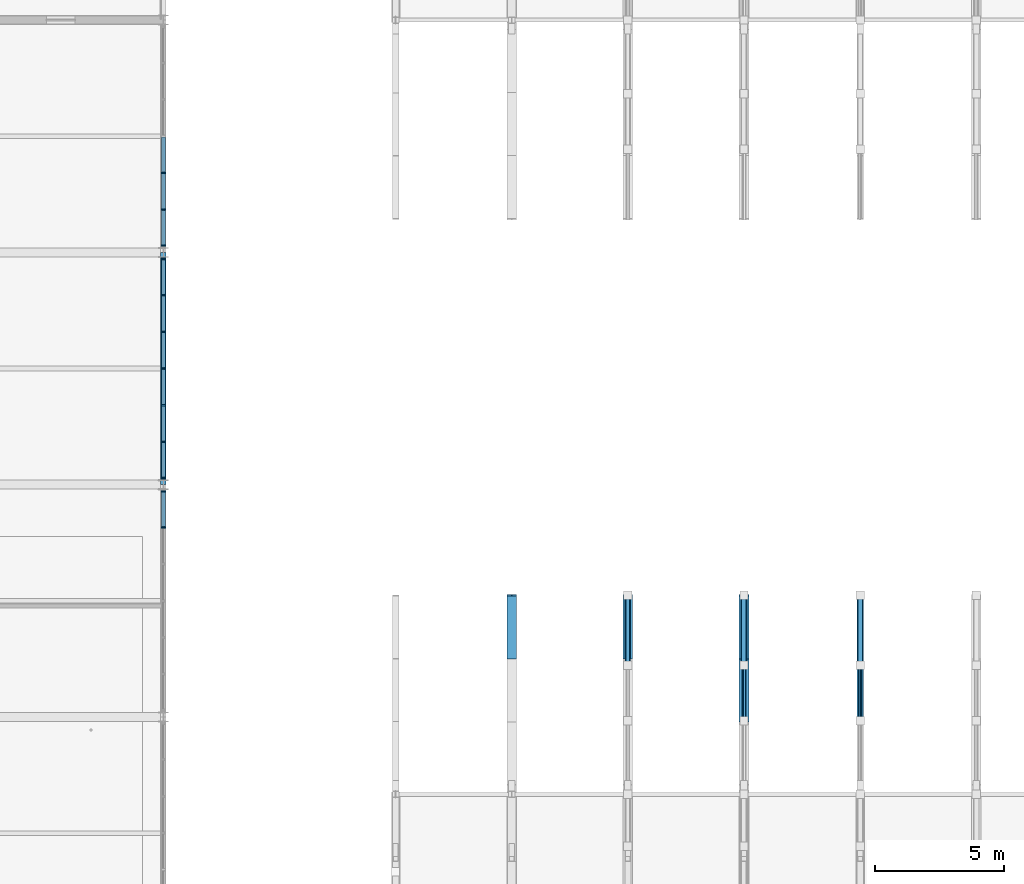
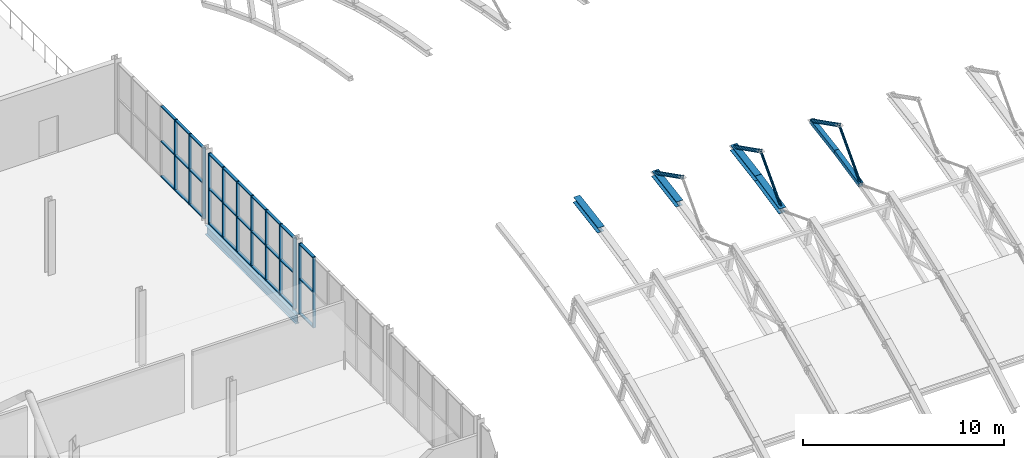
# One storey, part 33 of 103: 53 members, 1 beam, 3 elements without a shape of their own.
"""IFC4 building model written with IfcOpenShell, lengths in metres."""

from ifc_helpers import new_model, si_unit, direction, frame, origin, origin_2d, place, context, subcontext, project, spatial, rectangle, hollow_rectangle, hollow_circle, i_section, extrude, material, layer, layer_set, material_profile, profile_set, type_object, element, aggregate, save


model = new_model("IFC4")

# Units and contexts
model_context = context("Model", 3, precision=1e-05, world=origin(), true_north=direction((0.0, 1.0)))
body_context = subcontext(model_context, "Body", "Model", "MODEL_VIEW")
ifc_project = project(units=[si_unit("LENGTHUNIT", "METRE"), si_unit("AREAUNIT", "SQUARE_METRE"), si_unit("VOLUMEUNIT", "CUBIC_METRE"), si_unit("PLANEANGLEUNIT", "RADIAN"), si_unit("MASSUNIT", "GRAM", prefix="KILO")], contexts=[model_context])

# Site, building, storey
site_placement = place(None, origin())
site = spatial("IfcSite", under=ifc_project, at=site_placement, CompositionType="ELEMENT")
building_placement = place(site_placement, origin())
building = spatial("IfcBuilding", under=site, at=building_placement, Name="Cazmaro Siding Exhibition Halls", CompositionType="ELEMENT")
storey_placement = place(building_placement, frame((0.0, 0.0, 16.5)))
storey = spatial("IfcBuildingStorey", under=building, at=storey_placement, Name="L03", CompositionType="ELEMENT", Elevation=16.5)

# Beam
ifc_material_1 = material(Name="Steel ASTM A992 Grade 50", Category="steel")
ifc_material_profile_1 = material_profile(ifc_material_1, i_section(OverallWidth=0.214111328125, OverallDepth=0.549072265625, WebThickness=0.014892578125, FlangeThickness=0.02392578125, at=origin_2d()), Name="W21X93")
ifc_profile_set_1 = profile_set([ifc_material_profile_1], Name="Steel ASTM A992 Grade 50")
beam_type = type_object("IfcBeamType", Name="B-01", PredefinedType="BEAM", material=ifc_profile_set_1)
beam_placement = place(storey_placement, frame((36.0, 91.0, -0.493896484375), z_axis=(0.0, 1.0, 0.0), x_axis=(-1.0, 0.0, 0.0)))
element("IfcBeam", 1, at=beam_placement, inside=storey, type_object=beam_type, Name="Beam B-01 BM-2274", PredefinedType="BEAM", context=body_context, shape_type="SweptSolid", body=[
    extrude(i_section(OverallWidth=0.214111328125, OverallDepth=0.549072265625, WebThickness=0.014892578125, FlangeThickness=0.02392578125, at=origin_2d()), origin(), (0.0, 0.0, 1.0), 9.0),
])

# Curtain wall, members
ifc_material_2 = material(Name="Anodized Bronze Aluminum and Solar-Control Low-E Glazing", Category="aluminium")
ifc_layer = layer(ifc_material_2, 0.179931640625)
ifc_layer_set = layer_set([ifc_layer], Name="Anodized Bronze Aluminum and Solar-Control Low-E Glazing")
curtain_wall_type = type_object("IfcCurtainWallType", Name="CWS-01", PredefinedType="USERDEFINED", material=ifc_layer_set)
curtain_wall_1_placement = place(storey_placement, origin())
curtain_wall_1 = element("IfcCurtainWall", 2, at=curtain_wall_1_placement, inside=storey, type_object=curtain_wall_type, Name="Glazed Curtain Wall CWS-01 CW-252", ObjectType="GLAZED CURTAIN WALL", PredefinedType="USERDEFINED")
ifc_material_3 = material(Name="Anodized Bronze Extruded Aluminum", Category="aluminium")
ifc_material_profile_2 = material_profile(ifc_material_3, rectangle(XDim=0.179931640625, YDim=0.06005859375, at=origin_2d()), Name="CWM-01")
ifc_profile_set_2 = profile_set([ifc_material_profile_2], Name="Anodized Bronze Extruded Aluminum")
member_type_1 = type_object("IfcMemberType", Name="CWM-01", PredefinedType="MULLION", material=ifc_profile_set_2)
member_1_placement = place(storey_placement, frame((36.0, 89.3447265625, 0.0), z_axis=(0.0, 0.0, 1.0), x_axis=(-1.0, 0.0, 0.0)))
member_1 = element("IfcMember", 3, at=member_1_placement, type_object=member_type_1, Name="CWS-01 mullion 6", PredefinedType="MULLION", context=body_context, shape_type="SweptSolid", body=[
    extrude(rectangle(XDim=0.179931640625, YDim=0.06005859375, at=origin_2d()), origin(), (0.0, 0.0, 1.0), 4.280029296875),
])
member_2_placement = place(storey_placement, frame((36.0, 90.737060546875, 0.0), z_axis=(0.0, 0.0, 1.0), x_axis=(-1.0, 0.0, 0.0)))
member_2 = element("IfcMember", 4, at=member_2_placement, type_object=member_type_1, Name="CWS-01 mullion 7", PredefinedType="MULLION", context=body_context, shape_type="SweptSolid", body=[
    extrude(rectangle(XDim=0.179931640625, YDim=0.06005859375, at=origin_2d()), origin(), (0.0, 0.0, 1.0), 4.280029296875),
])

curtain_wall_2_placement = place(storey_placement, origin())
curtain_wall_2 = element("IfcCurtainWall", 5, at=curtain_wall_2_placement, inside=storey, type_object=curtain_wall_type, Name="Glazed Curtain Wall CWS-01 CW-253", ObjectType="GLAZED CURTAIN WALL", PredefinedType="USERDEFINED")
member_3_placement = place(storey_placement, frame((36.0, 91.262939453125, 0.0), z_axis=(0.0, 0.0, 1.0), x_axis=(-1.0, 0.0, 0.0)))
member_3 = element("IfcMember", 6, at=member_3_placement, type_object=member_type_1, Name="CWS-01 mullion 1", PredefinedType="MULLION", context=body_context, shape_type="SweptSolid", body=[
    extrude(rectangle(XDim=0.179931640625, YDim=0.06005859375, at=origin_2d()), origin(), (0.0, 0.0, 1.0), 4.280029296875),
])
member_4_placement = place(storey_placement, frame((36.0, 92.6552734375, 0.0), z_axis=(0.0, 0.0, 1.0), x_axis=(-1.0, 0.0, 0.0)))
member_4 = element("IfcMember", 7, at=member_4_placement, type_object=member_type_1, Name="CWS-01 mullion 2", PredefinedType="MULLION", context=body_context, shape_type="SweptSolid", body=[
    extrude(rectangle(XDim=0.179931640625, YDim=0.06005859375, at=origin_2d()), origin(), (0.0, 0.0, 1.0), 4.280029296875),
])
member_5_placement = place(storey_placement, frame((36.0, 94.07763671875, 0.0), z_axis=(0.0, 0.0, 1.0), x_axis=(-1.0, 0.0, 0.0)))
member_5 = element("IfcMember", 8, at=member_5_placement, type_object=member_type_1, Name="CWS-01 mullion 3", PredefinedType="MULLION", context=body_context, shape_type="SweptSolid", body=[
    extrude(rectangle(XDim=0.179931640625, YDim=0.06005859375, at=origin_2d()), origin(), (0.0, 0.0, 1.0), 4.280029296875),
])
member_6_placement = place(storey_placement, frame((36.0, 95.5, 0.0), z_axis=(0.0, 0.0, 1.0), x_axis=(-1.0, 0.0, 0.0)))
member_6 = element("IfcMember", 9, at=member_6_placement, type_object=member_type_1, Name="CWS-01 mullion 4", PredefinedType="MULLION", context=body_context, shape_type="SweptSolid", body=[
    extrude(rectangle(XDim=0.179931640625, YDim=0.06005859375, at=origin_2d()), origin(), (0.0, 0.0, 1.0), 4.280029296875),
])
member_7_placement = place(storey_placement, frame((36.0, 96.92236328125, 0.0), z_axis=(0.0, 0.0, 1.0), x_axis=(-1.0, 0.0, 0.0)))
member_7 = element("IfcMember", 10, at=member_7_placement, type_object=member_type_1, Name="CWS-01 mullion 5", PredefinedType="MULLION", context=body_context, shape_type="SweptSolid", body=[
    extrude(rectangle(XDim=0.179931640625, YDim=0.06005859375, at=origin_2d()), origin(), (0.0, 0.0, 1.0), 4.280029296875),
])
member_8_placement = place(storey_placement, frame((36.0, 98.3447265625, 0.0), z_axis=(0.0, 0.0, 1.0), x_axis=(-1.0, 0.0, 0.0)))
member_8 = element("IfcMember", 11, at=member_8_placement, type_object=member_type_1, Name="CWS-01 mullion 6", PredefinedType="MULLION", context=body_context, shape_type="SweptSolid", body=[
    extrude(rectangle(XDim=0.179931640625, YDim=0.06005859375, at=origin_2d()), origin(), (0.0, 0.0, 1.0), 4.280029296875),
])
member_9_placement = place(storey_placement, frame((36.0, 99.737060546875, 0.0), z_axis=(0.0, 0.0, 1.0), x_axis=(-1.0, 0.0, 0.0)))
member_9 = element("IfcMember", 12, at=member_9_placement, type_object=member_type_1, Name="CWS-01 mullion 7", PredefinedType="MULLION", context=body_context, shape_type="SweptSolid", body=[
    extrude(rectangle(XDim=0.179931640625, YDim=0.06005859375, at=origin_2d()), origin(), (0.0, 0.0, 1.0), 4.280029296875),
])

curtain_wall_3_placement = place(storey_placement, origin())
curtain_wall_3 = element("IfcCurtainWall", 13, at=curtain_wall_3_placement, inside=storey, type_object=curtain_wall_type, Name="Glazed Curtain Wall CWS-01 CW-255", ObjectType="GLAZED CURTAIN WALL", PredefinedType="USERDEFINED")
member_10_placement = place(storey_placement, frame((36.0, 100.262939453125, 0.0), z_axis=(0.0, 0.0, 1.0), x_axis=(-1.0, 0.0, 0.0)))
member_10 = element("IfcMember", 14, at=member_10_placement, type_object=member_type_1, Name="CWS-01 mullion 1", PredefinedType="MULLION", context=body_context, shape_type="SweptSolid", body=[
    extrude(rectangle(XDim=0.179931640625, YDim=0.06005859375, at=origin_2d()), origin(), (0.0, 0.0, 1.0), 4.280029296875),
])
member_11_placement = place(storey_placement, frame((36.0, 101.6552734375, 0.0), z_axis=(0.0, 0.0, 1.0), x_axis=(-1.0, 0.0, 0.0)))
member_11 = element("IfcMember", 15, at=member_11_placement, type_object=member_type_1, Name="CWS-01 mullion 2", PredefinedType="MULLION", context=body_context, shape_type="SweptSolid", body=[
    extrude(rectangle(XDim=0.179931640625, YDim=0.06005859375, at=origin_2d()), origin(), (0.0, 0.0, 1.0), 4.280029296875),
])
member_12_placement = place(storey_placement, frame((36.0, 103.07763671875, 0.0), z_axis=(0.0, 0.0, 1.0), x_axis=(-1.0, 0.0, 0.0)))
member_12 = element("IfcMember", 16, at=member_12_placement, type_object=member_type_1, Name="CWS-01 mullion 3", PredefinedType="MULLION", context=body_context, shape_type="SweptSolid", body=[
    extrude(rectangle(XDim=0.179931640625, YDim=0.06005859375, at=origin_2d()), origin(), (0.0, 0.0, 1.0), 4.280029296875),
])

# Member
ifc_material_4 = material(Name="Anodized Bronze Extruded Aluminum", Category="aluminium")
ifc_material_profile_3 = material_profile(ifc_material_4, rectangle(XDim=0.159912109375, YDim=0.06005859375, at=origin_2d()), Name="CWT-01")
ifc_profile_set_3 = profile_set([ifc_material_profile_3], Name="Anodized Bronze Extruded Aluminum")
member_type_2 = type_object("IfcMemberType", Name="CWT-01", PredefinedType="MULLION", material=ifc_profile_set_3)
member_13_placement = place(storey_placement, frame((36.0, 89.374755859375, 0.030029296875), z_axis=(0.0, 1.0, 0.0), x_axis=(-1.0, 0.0, 0.0)))
member_13 = element("IfcMember", 17, at=member_13_placement, type_object=member_type_2, Name="CWS-01 transom 6.1", ObjectType="TRANSOM", PredefinedType="USERDEFINED", context=body_context, shape_type="SweptSolid", body=[
    extrude(rectangle(XDim=0.159912109375, YDim=0.06005859375, at=origin_2d()), origin(), (0.0, 0.0, 1.0), 1.332275390625),
])

member_14_placement = place(storey_placement, frame((36.0, 89.374755859375, 2.139892578125), z_axis=(0.0, 1.0, 0.0), x_axis=(-1.0, 0.0, 0.0)))
member_14 = element("IfcMember", 18, at=member_14_placement, type_object=member_type_2, Name="CWS-01 transom 6.2", ObjectType="TRANSOM", PredefinedType="USERDEFINED", context=body_context, shape_type="SweptSolid", body=[
    extrude(rectangle(XDim=0.159912109375, YDim=0.06005859375, at=origin_2d()), origin(), (0.0, 0.0, 1.0), 1.332275390625),
])

member_15_placement = place(storey_placement, frame((36.0, 89.374755859375, 4.25), z_axis=(0.0, 1.0, 0.0), x_axis=(-1.0, 0.0, 0.0)))
member_15 = element("IfcMember", 19, at=member_15_placement, type_object=member_type_2, Name="CWS-01 transom 6.3", ObjectType="TRANSOM", PredefinedType="USERDEFINED", context=body_context, shape_type="SweptSolid", body=[
    extrude(rectangle(XDim=0.159912109375, YDim=0.06005859375, at=origin_2d()), origin(), (0.0, 0.0, 1.0), 1.332275390625),
])

aggregate(curtain_wall_1, [member_1, member_2, member_13, member_14, member_15])

member_16_placement = place(storey_placement, frame((36.0, 91.29296875, 0.030029296875), z_axis=(0.0, 1.0, 0.0), x_axis=(-1.0, 0.0, 0.0)))
member_16 = element("IfcMember", 20, at=member_16_placement, type_object=member_type_2, Name="CWS-01 transom 1.1", ObjectType="TRANSOM", PredefinedType="USERDEFINED", context=body_context, shape_type="SweptSolid", body=[
    extrude(rectangle(XDim=0.159912109375, YDim=0.06005859375, at=origin_2d()), origin(), (0.0, 0.0, 1.0), 1.332275390625),
])

member_17_placement = place(storey_placement, frame((36.0, 91.29296875, 2.139892578125), z_axis=(0.0, 1.0, 0.0), x_axis=(-1.0, 0.0, 0.0)))
member_17 = element("IfcMember", 21, at=member_17_placement, type_object=member_type_2, Name="CWS-01 transom 1.2", ObjectType="TRANSOM", PredefinedType="USERDEFINED", context=body_context, shape_type="SweptSolid", body=[
    extrude(rectangle(XDim=0.159912109375, YDim=0.06005859375, at=origin_2d()), origin(), (0.0, 0.0, 1.0), 1.332275390625),
])

member_18_placement = place(storey_placement, frame((36.0, 91.29296875, 4.25), z_axis=(0.0, 1.0, 0.0), x_axis=(-1.0, 0.0, 0.0)))
member_18 = element("IfcMember", 22, at=member_18_placement, type_object=member_type_2, Name="CWS-01 transom 1.3", ObjectType="TRANSOM", PredefinedType="USERDEFINED", context=body_context, shape_type="SweptSolid", body=[
    extrude(rectangle(XDim=0.159912109375, YDim=0.06005859375, at=origin_2d()), origin(), (0.0, 0.0, 1.0), 1.332275390625),
])

member_19_placement = place(storey_placement, frame((36.0, 92.685302734375, 0.030029296875), z_axis=(0.0, 1.0, 0.0), x_axis=(-1.0, 0.0, 0.0)))
member_19 = element("IfcMember", 23, at=member_19_placement, type_object=member_type_2, Name="CWS-01 transom 2.1", ObjectType="TRANSOM", PredefinedType="USERDEFINED", context=body_context, shape_type="SweptSolid", body=[
    extrude(rectangle(XDim=0.159912109375, YDim=0.06005859375, at=origin_2d()), origin(), (0.0, 0.0, 1.0), 1.3623046875),
])

member_20_placement = place(storey_placement, frame((36.0, 92.685302734375, 2.139892578125), z_axis=(0.0, 1.0, 0.0), x_axis=(-1.0, 0.0, 0.0)))
member_20 = element("IfcMember", 24, at=member_20_placement, type_object=member_type_2, Name="CWS-01 transom 2.2", ObjectType="TRANSOM", PredefinedType="USERDEFINED", context=body_context, shape_type="SweptSolid", body=[
    extrude(rectangle(XDim=0.159912109375, YDim=0.06005859375, at=origin_2d()), origin(), (0.0, 0.0, 1.0), 1.3623046875),
])

member_21_placement = place(storey_placement, frame((36.0, 92.685302734375, 4.25), z_axis=(0.0, 1.0, 0.0), x_axis=(-1.0, 0.0, 0.0)))
member_21 = element("IfcMember", 25, at=member_21_placement, type_object=member_type_2, Name="CWS-01 transom 2.3", ObjectType="TRANSOM", PredefinedType="USERDEFINED", context=body_context, shape_type="SweptSolid", body=[
    extrude(rectangle(XDim=0.159912109375, YDim=0.06005859375, at=origin_2d()), origin(), (0.0, 0.0, 1.0), 1.3623046875),
])

member_22_placement = place(storey_placement, frame((36.0, 94.107666015625, 0.030029296875), z_axis=(0.0, 1.0, 0.0), x_axis=(-1.0, 0.0, 0.0)))
member_22 = element("IfcMember", 26, at=member_22_placement, type_object=member_type_2, Name="CWS-01 transom 3.1", ObjectType="TRANSOM", PredefinedType="USERDEFINED", context=body_context, shape_type="SweptSolid", body=[
    extrude(rectangle(XDim=0.159912109375, YDim=0.06005859375, at=origin_2d()), origin(), (0.0, 0.0, 1.0), 1.3623046875),
])

member_23_placement = place(storey_placement, frame((36.0, 94.107666015625, 2.139892578125), z_axis=(0.0, 1.0, 0.0), x_axis=(-1.0, 0.0, 0.0)))
member_23 = element("IfcMember", 27, at=member_23_placement, type_object=member_type_2, Name="CWS-01 transom 3.2", ObjectType="TRANSOM", PredefinedType="USERDEFINED", context=body_context, shape_type="SweptSolid", body=[
    extrude(rectangle(XDim=0.159912109375, YDim=0.06005859375, at=origin_2d()), origin(), (0.0, 0.0, 1.0), 1.3623046875),
])

member_24_placement = place(storey_placement, frame((36.0, 94.107666015625, 4.25), z_axis=(0.0, 1.0, 0.0), x_axis=(-1.0, 0.0, 0.0)))
member_24 = element("IfcMember", 28, at=member_24_placement, type_object=member_type_2, Name="CWS-01 transom 3.3", ObjectType="TRANSOM", PredefinedType="USERDEFINED", context=body_context, shape_type="SweptSolid", body=[
    extrude(rectangle(XDim=0.159912109375, YDim=0.06005859375, at=origin_2d()), origin(), (0.0, 0.0, 1.0), 1.3623046875),
])

member_25_placement = place(storey_placement, frame((36.0, 95.530029296875, 0.030029296875), z_axis=(0.0, 1.0, 0.0), x_axis=(-1.0, 0.0, 0.0)))
member_25 = element("IfcMember", 29, at=member_25_placement, type_object=member_type_2, Name="CWS-01 transom 4.1", ObjectType="TRANSOM", PredefinedType="USERDEFINED", context=body_context, shape_type="SweptSolid", body=[
    extrude(rectangle(XDim=0.159912109375, YDim=0.06005859375, at=origin_2d()), origin(), (0.0, 0.0, 1.0), 1.3623046875),
])

member_26_placement = place(storey_placement, frame((36.0, 95.530029296875, 2.139892578125), z_axis=(0.0, 1.0, 0.0), x_axis=(-1.0, 0.0, 0.0)))
member_26 = element("IfcMember", 30, at=member_26_placement, type_object=member_type_2, Name="CWS-01 transom 4.2", ObjectType="TRANSOM", PredefinedType="USERDEFINED", context=body_context, shape_type="SweptSolid", body=[
    extrude(rectangle(XDim=0.159912109375, YDim=0.06005859375, at=origin_2d()), origin(), (0.0, 0.0, 1.0), 1.3623046875),
])

member_27_placement = place(storey_placement, frame((36.0, 95.530029296875, 4.25), z_axis=(0.0, 1.0, 0.0), x_axis=(-1.0, 0.0, 0.0)))
member_27 = element("IfcMember", 31, at=member_27_placement, type_object=member_type_2, Name="CWS-01 transom 4.3", ObjectType="TRANSOM", PredefinedType="USERDEFINED", context=body_context, shape_type="SweptSolid", body=[
    extrude(rectangle(XDim=0.159912109375, YDim=0.06005859375, at=origin_2d()), origin(), (0.0, 0.0, 1.0), 1.3623046875),
])

member_28_placement = place(storey_placement, frame((36.0, 96.952392578125, 0.030029296875), z_axis=(0.0, 1.0, 0.0), x_axis=(-1.0, 0.0, 0.0)))
member_28 = element("IfcMember", 32, at=member_28_placement, type_object=member_type_2, Name="CWS-01 transom 5.1", ObjectType="TRANSOM", PredefinedType="USERDEFINED", context=body_context, shape_type="SweptSolid", body=[
    extrude(rectangle(XDim=0.159912109375, YDim=0.06005859375, at=origin_2d()), origin(), (0.0, 0.0, 1.0), 1.3623046875),
])

member_29_placement = place(storey_placement, frame((36.0, 96.952392578125, 2.139892578125), z_axis=(0.0, 1.0, 0.0), x_axis=(-1.0, 0.0, 0.0)))
member_29 = element("IfcMember", 33, at=member_29_placement, type_object=member_type_2, Name="CWS-01 transom 5.2", ObjectType="TRANSOM", PredefinedType="USERDEFINED", context=body_context, shape_type="SweptSolid", body=[
    extrude(rectangle(XDim=0.159912109375, YDim=0.06005859375, at=origin_2d()), origin(), (0.0, 0.0, 1.0), 1.3623046875),
])

member_30_placement = place(storey_placement, frame((36.0, 96.952392578125, 4.25), z_axis=(0.0, 1.0, 0.0), x_axis=(-1.0, 0.0, 0.0)))
member_30 = element("IfcMember", 34, at=member_30_placement, type_object=member_type_2, Name="CWS-01 transom 5.3", ObjectType="TRANSOM", PredefinedType="USERDEFINED", context=body_context, shape_type="SweptSolid", body=[
    extrude(rectangle(XDim=0.159912109375, YDim=0.06005859375, at=origin_2d()), origin(), (0.0, 0.0, 1.0), 1.3623046875),
])

member_31_placement = place(storey_placement, frame((36.0, 98.374755859375, 0.030029296875), z_axis=(0.0, 1.0, 0.0), x_axis=(-1.0, 0.0, 0.0)))
member_31 = element("IfcMember", 35, at=member_31_placement, type_object=member_type_2, Name="CWS-01 transom 6.1", ObjectType="TRANSOM", PredefinedType="USERDEFINED", context=body_context, shape_type="SweptSolid", body=[
    extrude(rectangle(XDim=0.159912109375, YDim=0.06005859375, at=origin_2d()), origin(), (0.0, 0.0, 1.0), 1.332275390625),
])

member_32_placement = place(storey_placement, frame((36.0, 98.374755859375, 2.139892578125), z_axis=(0.0, 1.0, 0.0), x_axis=(-1.0, 0.0, 0.0)))
member_32 = element("IfcMember", 36, at=member_32_placement, type_object=member_type_2, Name="CWS-01 transom 6.2", ObjectType="TRANSOM", PredefinedType="USERDEFINED", context=body_context, shape_type="SweptSolid", body=[
    extrude(rectangle(XDim=0.159912109375, YDim=0.06005859375, at=origin_2d()), origin(), (0.0, 0.0, 1.0), 1.332275390625),
])

member_33_placement = place(storey_placement, frame((36.0, 98.374755859375, 4.25), z_axis=(0.0, 1.0, 0.0), x_axis=(-1.0, 0.0, 0.0)))
member_33 = element("IfcMember", 37, at=member_33_placement, type_object=member_type_2, Name="CWS-01 transom 6.3", ObjectType="TRANSOM", PredefinedType="USERDEFINED", context=body_context, shape_type="SweptSolid", body=[
    extrude(rectangle(XDim=0.159912109375, YDim=0.06005859375, at=origin_2d()), origin(), (0.0, 0.0, 1.0), 1.332275390625),
])

aggregate(curtain_wall_2, [member_3, member_4, member_5, member_6, member_7, member_8, member_9, member_16, member_17, member_18, member_19, member_20, member_21, member_22, member_23, member_24, member_25, member_26, member_27, member_28, member_29, member_30, member_31, member_32, member_33])

member_34_placement = place(storey_placement, frame((36.0, 100.29296875, 0.030029296875), z_axis=(0.0, 1.0, 0.0), x_axis=(-1.0, 0.0, 0.0)))
member_34 = element("IfcMember", 38, at=member_34_placement, type_object=member_type_2, Name="CWS-01 transom 1.1", ObjectType="TRANSOM", PredefinedType="USERDEFINED", context=body_context, shape_type="SweptSolid", body=[
    extrude(rectangle(XDim=0.159912109375, YDim=0.06005859375, at=origin_2d()), origin(), (0.0, 0.0, 1.0), 1.332275390625),
])

member_35_placement = place(storey_placement, frame((36.0, 100.29296875, 2.139892578125), z_axis=(0.0, 1.0, 0.0), x_axis=(-1.0, 0.0, 0.0)))
member_35 = element("IfcMember", 39, at=member_35_placement, type_object=member_type_2, Name="CWS-01 transom 1.2", ObjectType="TRANSOM", PredefinedType="USERDEFINED", context=body_context, shape_type="SweptSolid", body=[
    extrude(rectangle(XDim=0.159912109375, YDim=0.06005859375, at=origin_2d()), origin(), (0.0, 0.0, 1.0), 1.332275390625),
])

member_36_placement = place(storey_placement, frame((36.0, 100.29296875, 4.25), z_axis=(0.0, 1.0, 0.0), x_axis=(-1.0, 0.0, 0.0)))
member_36 = element("IfcMember", 40, at=member_36_placement, type_object=member_type_2, Name="CWS-01 transom 1.3", ObjectType="TRANSOM", PredefinedType="USERDEFINED", context=body_context, shape_type="SweptSolid", body=[
    extrude(rectangle(XDim=0.159912109375, YDim=0.06005859375, at=origin_2d()), origin(), (0.0, 0.0, 1.0), 1.332275390625),
])

member_37_placement = place(storey_placement, frame((36.0, 101.685302734375, 0.030029296875), z_axis=(0.0, 1.0, 0.0), x_axis=(-1.0, 0.0, 0.0)))
member_37 = element("IfcMember", 41, at=member_37_placement, type_object=member_type_2, Name="CWS-01 transom 2.1", ObjectType="TRANSOM", PredefinedType="USERDEFINED", context=body_context, shape_type="SweptSolid", body=[
    extrude(rectangle(XDim=0.159912109375, YDim=0.06005859375, at=origin_2d()), origin(), (0.0, 0.0, 1.0), 1.3623046875),
])

member_38_placement = place(storey_placement, frame((36.0, 101.685302734375, 2.139892578125), z_axis=(0.0, 1.0, 0.0), x_axis=(-1.0, 0.0, 0.0)))
member_38 = element("IfcMember", 42, at=member_38_placement, type_object=member_type_2, Name="CWS-01 transom 2.2", ObjectType="TRANSOM", PredefinedType="USERDEFINED", context=body_context, shape_type="SweptSolid", body=[
    extrude(rectangle(XDim=0.159912109375, YDim=0.06005859375, at=origin_2d()), origin(), (0.0, 0.0, 1.0), 1.3623046875),
])

member_39_placement = place(storey_placement, frame((36.0, 101.685302734375, 4.25), z_axis=(0.0, 1.0, 0.0), x_axis=(-1.0, 0.0, 0.0)))
member_39 = element("IfcMember", 43, at=member_39_placement, type_object=member_type_2, Name="CWS-01 transom 2.3", ObjectType="TRANSOM", PredefinedType="USERDEFINED", context=body_context, shape_type="SweptSolid", body=[
    extrude(rectangle(XDim=0.159912109375, YDim=0.06005859375, at=origin_2d()), origin(), (0.0, 0.0, 1.0), 1.3623046875),
])

member_40_placement = place(storey_placement, frame((36.0, 103.107666015625, 0.030029296875), z_axis=(0.0, 1.0, 0.0), x_axis=(-1.0, 0.0, 0.0)))
member_40 = element("IfcMember", 44, at=member_40_placement, type_object=member_type_2, Name="CWS-01 transom 3.1", ObjectType="TRANSOM", PredefinedType="USERDEFINED", context=body_context, shape_type="SweptSolid", body=[
    extrude(rectangle(XDim=0.159912109375, YDim=0.06005859375, at=origin_2d()), origin(), (0.0, 0.0, 1.0), 1.3623046875),
])

member_41_placement = place(storey_placement, frame((36.0, 103.107666015625, 2.139892578125), z_axis=(0.0, 1.0, 0.0), x_axis=(-1.0, 0.0, 0.0)))
member_41 = element("IfcMember", 45, at=member_41_placement, type_object=member_type_2, Name="CWS-01 transom 3.2", ObjectType="TRANSOM", PredefinedType="USERDEFINED", context=body_context, shape_type="SweptSolid", body=[
    extrude(rectangle(XDim=0.159912109375, YDim=0.06005859375, at=origin_2d()), origin(), (0.0, 0.0, 1.0), 1.3623046875),
])

member_42_placement = place(storey_placement, frame((36.0, 103.107666015625, 4.25), z_axis=(0.0, 1.0, 0.0), x_axis=(-1.0, 0.0, 0.0)))
member_42 = element("IfcMember", 46, at=member_42_placement, type_object=member_type_2, Name="CWS-01 transom 3.3", ObjectType="TRANSOM", PredefinedType="USERDEFINED", context=body_context, shape_type="SweptSolid", body=[
    extrude(rectangle(XDim=0.159912109375, YDim=0.06005859375, at=origin_2d()), origin(), (0.0, 0.0, 1.0), 1.3623046875),
])

aggregate(curtain_wall_3, [member_10, member_11, member_12, member_34, member_35, member_36, member_37, member_38, member_39, member_40, member_41, member_42])

# Members
ifc_material_5 = material(Name="Steel ASTM A500 Grade C", Category="steel")
ifc_material_profile_4 = material_profile(ifc_material_5, hollow_rectangle(XDim=0.25390625, YDim=0.25390625, WallThickness=0.014892578125, at=origin_2d()), Name="HSS10X10X5/8")
ifc_profile_set_4 = profile_set([ifc_material_profile_4], Name="Steel ASTM A500 Grade C")
member_type_3 = type_object("IfcMemberType", Name="TC-01", PredefinedType="CHORD", material=ifc_profile_set_4)
member_43_placement = place(storey_placement, frame((63.0, 81.85009765625, 3.760986328125), z_axis=(0.0, 0.977697351532, 0.210018782033), x_axis=(-1.0, 0.0, 0.0)))
element("IfcMember", 47, at=member_43_placement, inside=storey, type_object=member_type_3, Name="Space frame barrel vault bottom chord TC-01 MEM-0251", PredefinedType="CHORD", context=body_context, shape_type="SweptSolid", body=[
    extrude(hollow_rectangle(XDim=0.25390625, YDim=0.25390625, WallThickness=0.014892578125, at=origin_2d()), origin(), (0.0, 0.0, 1.0), 2.4853515625),
])
member_44_placement = place(storey_placement, frame((63.0, 84.280029296875, 4.282958984375), z_axis=(0.0, 0.986455464336, 0.164029317138), x_axis=(-1.0, 0.0, 0.0)))
element("IfcMember", 48, at=member_44_placement, inside=storey, type_object=member_type_3, Name="Space frame barrel vault bottom chord TC-01 MEM-0253", PredefinedType="CHORD", context=body_context, shape_type="SweptSolid", body=[
    extrude(hollow_rectangle(XDim=0.25390625, YDim=0.25390625, WallThickness=0.014892578125, at=origin_2d()), origin(), (0.0, 0.0, 1.0), 2.46337890625),
])
ifc_material_6 = material(Name="Steel ASTM A992 Grade 50", Category="steel")
ifc_material_profile_5 = material_profile(ifc_material_6, i_section(OverallWidth=0.37109375, OverallDepth=0.364013671875, WebThickness=0.012939453125, FlangeThickness=0.02197265625, at=origin_2d()), Name="W14X109")
ifc_profile_set_5 = profile_set([ifc_material_profile_5], Name="Steel ASTM A992 Grade 50")
member_type_4 = type_object("IfcMemberType", Name="TC-06", PredefinedType="CHORD", material=ifc_profile_set_5)
for number, where, z_axis, x_axis, name in (
    (49, (49.5, 84.280029296875, 4.282958984375), (0.0, 0.986455464336, 0.164029317138), (-1.0, 0.0, 0.0), "Space frame barrel vault bottom chord TC-06 MEM-0056"),
    (50, (54.0, 84.280029296875, 4.282958984375), (0.0, 0.986455464336, 0.164029317138), (-1.0, 0.0, 0.0), "Space frame barrel vault bottom chord TC-06 MEM-0111"),
):
    element("IfcMember", number, at=place(storey_placement, frame(where, z_axis=z_axis, x_axis=x_axis)), inside=storey, type_object=member_type_4, Name=name, PredefinedType="CHORD", context=body_context, shape_type="SweptSolid", body=[
        extrude(i_section(OverallWidth=0.37109375, OverallDepth=0.364013671875, WebThickness=0.012939453125, FlangeThickness=0.02197265625, at=origin_2d()), origin(), (0.0, 0.0, 1.0), 2.46337890625),
    ])
member_45_placement = place(storey_placement, frame((58.5, 81.85009765625, 3.760986328125), z_axis=(0.0, 0.977697351532, 0.210018782033), x_axis=(-1.0, 0.0, 0.0)))
element("IfcMember", 51, at=member_45_placement, inside=storey, type_object=member_type_4, Name="Space frame barrel vault bottom chord TC-06 MEM-0180", PredefinedType="CHORD", context=body_context, shape_type="SweptSolid", body=[
    extrude(i_section(OverallWidth=0.37109375, OverallDepth=0.364013671875, WebThickness=0.012939453125, FlangeThickness=0.02197265625, at=origin_2d()), origin(), (0.0, 0.0, 1.0), 2.4853515625),
])
member_46_placement = place(storey_placement, frame((58.5, 84.280029296875, 4.282958984375), z_axis=(0.0, 0.986455464336, 0.164029317138), x_axis=(-1.0, 0.0, 0.0)))
element("IfcMember", 52, at=member_46_placement, inside=storey, type_object=member_type_4, Name="Space frame barrel vault bottom chord TC-06 MEM-0182", PredefinedType="CHORD", context=body_context, shape_type="SweptSolid", body=[
    extrude(i_section(OverallWidth=0.37109375, OverallDepth=0.364013671875, WebThickness=0.012939453125, FlangeThickness=0.02197265625, at=origin_2d()), origin(), (0.0, 0.0, 1.0), 2.46337890625),
])
ifc_material_7 = material(Name="Steel ASTM A500 Grade C", Category="steel")
ifc_material_profile_6 = material_profile(ifc_material_7, hollow_circle(Radius=0.109619140625, WallThickness=0.012939453125, at=origin_2d()), Name="PIPE8XS")
ifc_profile_set_6 = profile_set([ifc_material_profile_6], Name="Steel ASTM A500 Grade C")
member_type_5 = type_object("IfcMemberType", Name="WB-01", PredefinedType="BRACE", material=ifc_profile_set_6)
for number, where, z_axis, x_axis, name in (
    (53, (54.0, 84.0, 6.056884765625), (0.0, 0.892456788218, -0.451132886369), (-1.0, 0.0, 0.0), "Space frame barrel vault diagonal WB-01 MEM-0112"),
    (54, (58.5, 84.0, 6.056884765625), (0.0, 0.892456788218, -0.451132886369), (-1.0, 0.0, 0.0), "Space frame barrel vault diagonal WB-01 MEM-0183"),
    (55, (63.0, 84.0, 6.056884765625), (0.0, 0.892456788218, -0.451132886369), (-1.0, 0.0, 0.0), "Space frame barrel vault diagonal WB-01 MEM-0254"),
):
    element("IfcMember", number, at=place(storey_placement, frame(where, z_axis=z_axis, x_axis=x_axis)), inside=storey, type_object=member_type_5, Name=name, PredefinedType="BRACE", context=body_context, shape_type="SweptSolid", body=[
        extrude(hollow_circle(Radius=0.109619140625, WallThickness=0.012939453125, at=origin_2d()), origin(), (0.0, 0.0, 1.0), 3.03662109375),
    ])
ifc_material_8 = material(Name="Steel ASTM A500 Grade C", Category="steel")
ifc_material_profile_7 = material_profile(ifc_material_8, hollow_circle(Radius=0.070556640625, WallThickness=0.01904296875, at=origin_2d()), Name="PIPE5XXS")
ifc_profile_set_7 = profile_set([ifc_material_profile_7], Name="Steel ASTM A500 Grade C")
member_type_6 = type_object("IfcMemberType", Name="WB-07", PredefinedType="BRACE", material=ifc_profile_set_7)
for number, where, z_axis, x_axis, name in (
    (56, (58.5, 81.85009765625, 3.760986328125), (0.0, 0.683517575744, 0.729934054315), (-1.0, 0.0, 0.0), "Space frame barrel vault diagonal WB-07 MEM-0181"),
    (57, (63.0, 81.85009765625, 3.760986328125), (0.0, 0.683517575744, 0.729934054315), (-1.0, 0.0, 0.0), "Space frame barrel vault diagonal WB-07 MEM-0252"),
):
    element("IfcMember", number, at=place(storey_placement, frame(where, z_axis=z_axis, x_axis=x_axis)), inside=storey, type_object=member_type_6, Name=name, PredefinedType="BRACE", context=body_context, shape_type="SweptSolid", body=[
        extrude(hollow_circle(Radius=0.070556640625, WallThickness=0.01904296875, at=origin_2d()), origin(), (0.0, 0.0, 1.0), 3.145263671875),
    ])

save(model, "model.ifc")
